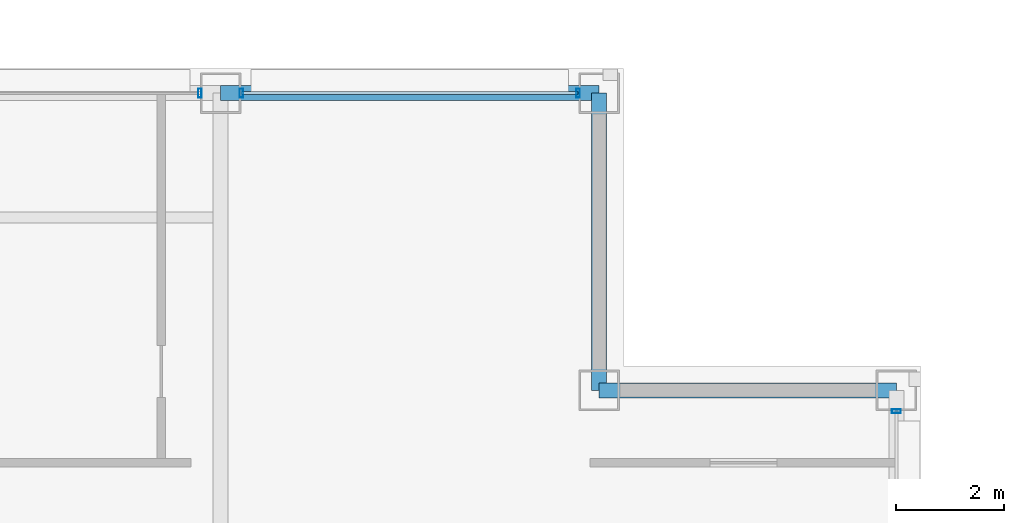
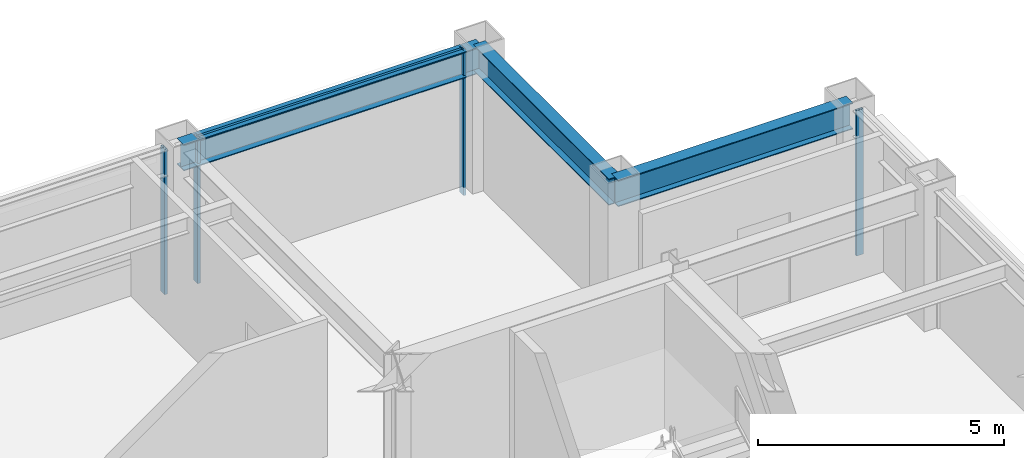
# One storey, part 21 of 26: 5 members, 3 beams, 3 elements without a shape of their own.
"""IFC4 building model written with IfcOpenShell, lengths in metres."""

from ifc_helpers import new_model, si_unit, direction, frame, origin, origin_2d, place, context, subcontext, project, spatial, hollow_rectangle, i_section, extrude, material, layer, layer_set, material_profile, profile_set, type_object, element, aggregate, save


model = new_model("IFC4")

# Units and contexts
model_context = context("Model", 3, precision=1e-05, world=origin(), true_north=direction((0.0, 1.0)))
body_context = subcontext(model_context, "Body", "Model", "MODEL_VIEW")
ifc_project = project(units=[si_unit("LENGTHUNIT", "METRE"), si_unit("AREAUNIT", "SQUARE_METRE"), si_unit("VOLUMEUNIT", "CUBIC_METRE"), si_unit("PLANEANGLEUNIT", "RADIAN"), si_unit("MASSUNIT", "GRAM", prefix="KILO")], contexts=[model_context])

# Site, building, storey
site_placement = place(None, origin())
site = spatial("IfcSite", under=ifc_project, at=site_placement, CompositionType="ELEMENT")
building_placement = place(site_placement, origin())
building = spatial("IfcBuilding", under=site, at=building_placement, Name="Brelmoor Portico Tower", CompositionType="ELEMENT")
storey_placement = place(building_placement, frame((0.0, 0.0, 180.300048828125)))
storey = spatial("IfcBuildingStorey", under=building, at=storey_placement, Name="L47", CompositionType="ELEMENT", Elevation=180.300048828125)

# Beams
ifc_material_1 = material(Name="Steel Q355B", Category="steel")
ifc_material_profile_1 = material_profile(ifc_material_1, i_section(OverallWidth=0.280029296875, OverallDepth=0.64990234375, WebThickness=0.012939453125, FlangeThickness=0.02197265625, at=origin_2d()), Name="HN 650x280x13x22")
ifc_profile_set_1 = profile_set([ifc_material_profile_1], Name="Steel Q355B")
beam_type = type_object("IfcBeamType", Name="BM-SP-650", PredefinedType="SPANDREL", material=ifc_profile_set_1)
beam_1_placement = place(storey_placement, frame((15.050048828125, 13.050048828125, 3.074951171875), z_axis=(1.0, 0.0, 0.0), x_axis=(0.0, 1.0, 0.0)))
element("IfcBeam", 1, at=beam_1_placement, inside=storey, type_object=beam_type, Name="L47 Perimeter Spandrel Beam SP-07", PredefinedType="SPANDREL", context=body_context, shape_type="SweptSolid", body=[
    extrude(i_section(OverallWidth=0.280029296875, OverallDepth=0.64990234375, WebThickness=0.012939453125, FlangeThickness=0.02197265625, at=origin_2d()), origin(), (0.0, 0.0, 1.0), 5.5),
])
beam_2_placement = place(storey_placement, frame((8.050048828125, 18.550048828125, 3.074951171875), z_axis=(1.0, 0.0, 0.0), x_axis=(0.0, 1.0, 0.0)))
element("IfcBeam", 2, at=beam_2_placement, inside=storey, type_object=beam_type, Name="L47 Perimeter Spandrel Beam SP-10", PredefinedType="SPANDREL", context=body_context, shape_type="SweptSolid", body=[
    extrude(i_section(OverallWidth=0.280029296875, OverallDepth=0.64990234375, WebThickness=0.012939453125, FlangeThickness=0.02197265625, at=origin_2d()), origin(), (0.0, 0.0, 1.0), 7.0),
])
beam_3_placement = place(storey_placement, frame((15.050048828125, 13.050048828125, 3.074951171875), z_axis=(0.0, 1.0, 0.0), x_axis=(-1.0, 0.0, 0.0)))
element("IfcBeam", 3, at=beam_3_placement, inside=storey, type_object=beam_type, Name="L47 Perimeter Spandrel Beam SP-17", PredefinedType="SPANDREL", context=body_context, shape_type="SweptSolid", body=[
    extrude(i_section(OverallWidth=0.280029296875, OverallDepth=0.64990234375, WebThickness=0.012939453125, FlangeThickness=0.02197265625, at=origin_2d()), origin(), (0.0, 0.0, 1.0), 5.5),
])

# Curtain wall, member
ifc_material_2 = material(Name="Anodised Aluminium Alloy 6063-T6", Category="aluminium")
ifc_layer_1 = layer(ifc_material_2, 0.179931640625)
ifc_layer_set_1 = layer_set([ifc_layer_1], Name="Anodised Aluminium Alloy 6063-T6")
curtain_wall_type_1 = type_object("IfcCurtainWallType", Name="CW-TOWER-Z3", PredefinedType="NOTDEFINED", material=ifc_layer_set_1)
curtain_wall_1_placement = place(storey_placement, origin())
curtain_wall_1 = element("IfcCurtainWall", 4, at=curtain_wall_1_placement, inside=storey, type_object=curtain_wall_type_1, Name="L47 Curtain Wall CW-L47-02-2", PredefinedType="NOTDEFINED")
ifc_material_profile_2 = material_profile(ifc_material_2, hollow_rectangle(XDim=0.06494140625, YDim=0.1650390625, WallThickness=0.00390625, at=origin_2d()), Name="ALU MULLION 65x165")
ifc_profile_set_2 = profile_set([ifc_material_profile_2], Name="Anodised Aluminium Alloy 6063-T6")
member_type_1 = type_object("IfcMemberType", Name="MB-CW-MULL-165", PredefinedType="MULLION", material=ifc_profile_set_2)
member_1_placement = place(storey_placement, frame((7.6650390625, 18.550048828125, -0.199951171875), z_axis=(0.0, 0.0, 1.0), x_axis=(1.0, 0.0, 0.0)))
member_1 = element("IfcMember", 5, at=member_1_placement, type_object=member_type_1, Name="CW-L47-02-2 Mullion 01", PredefinedType="MULLION", context=body_context, shape_type="SweptSolid", body=[
    extrude(hollow_rectangle(XDim=0.06494140625, YDim=0.1650390625, WallThickness=0.00390625, at=origin_2d()), origin(), (0.0, 0.0, 1.0), 3.599853515625),
])
aggregate(curtain_wall_1, [member_1])

# Curtain wall, members
ifc_layer_2 = layer(ifc_material_2, 0.179931640625)
ifc_layer_set_2 = layer_set([ifc_layer_2], Name="Anodised Aluminium Alloy 6063-T6")
curtain_wall_type_2 = type_object("IfcCurtainWallType", Name="CW-TOWER-Z3-XB", PredefinedType="NOTDEFINED", material=ifc_layer_set_2)
curtain_wall_2_placement = place(storey_placement, origin())
curtain_wall_2 = element("IfcCurtainWall", 6, at=curtain_wall_2_placement, inside=storey, type_object=curtain_wall_type_2, Name="L47 Curtain Wall CW-L47-02-3", PredefinedType="NOTDEFINED")
member_2_placement = place(storey_placement, frame((8.43505859375, 18.550048828125, -0.199951171875), z_axis=(0.0, 0.0, 1.0), x_axis=(1.0, 0.0, 0.0)))
member_2 = element("IfcMember", 7, at=member_2_placement, type_object=member_type_1, Name="CW-L47-02-3 Mullion 00", PredefinedType="MULLION", context=body_context, shape_type="SweptSolid", body=[
    extrude(hollow_rectangle(XDim=0.06494140625, YDim=0.1650390625, WallThickness=0.00390625, at=origin_2d()), origin(), (0.0, 0.0, 1.0), 3.599853515625),
])
member_3_placement = place(storey_placement, frame((14.6650390625, 18.550048828125, -0.199951171875), z_axis=(0.0, 0.0, 1.0), x_axis=(1.0, 0.0, 0.0)))
member_3 = element("IfcMember", 8, at=member_3_placement, type_object=member_type_1, Name="CW-L47-02-3 Mullion 01", PredefinedType="MULLION", context=body_context, shape_type="SweptSolid", body=[
    extrude(hollow_rectangle(XDim=0.06494140625, YDim=0.1650390625, WallThickness=0.00390625, at=origin_2d()), origin(), (0.0, 0.0, 1.0), 3.599853515625),
])

# Curtain wall, member
curtain_wall_3_placement = place(storey_placement, origin())
curtain_wall_3 = element("IfcCurtainWall", 9, at=curtain_wall_3_placement, inside=storey, type_object=curtain_wall_type_2, Name="L47 Curtain Wall CW-L47-04-3", PredefinedType="NOTDEFINED")
member_4_placement = place(storey_placement, frame((20.550048828125, 12.6650390625, -0.199951171875), z_axis=(0.0, 0.0, 1.0), x_axis=(0.0, 1.0, 0.0)))
member_4 = element("IfcMember", 10, at=member_4_placement, type_object=member_type_1, Name="CW-L47-04-3 Mullion 01", PredefinedType="MULLION", context=body_context, shape_type="SweptSolid", body=[
    extrude(hollow_rectangle(XDim=0.06494140625, YDim=0.1650390625, WallThickness=0.00390625, at=origin_2d()), origin(), (0.0, 0.0, 1.0), 3.599853515625),
])
aggregate(curtain_wall_3, [member_4])

# Member
ifc_material_profile_3 = material_profile(ifc_material_2, hollow_rectangle(XDim=0.06005859375, YDim=0.125, WallThickness=0.00341796875, at=origin_2d()), Name="ALU TRANSOM 60x125")
ifc_profile_set_3 = profile_set([ifc_material_profile_3], Name="Anodised Aluminium Alloy 6063-T6")
member_type_2 = type_object("IfcMemberType", Name="MB-CW-TRAN-125", PredefinedType="USERDEFINED", material=ifc_profile_set_3)
member_5_placement = place(storey_placement, frame((8.43505859375, 18.550048828125, 3.33740234375), z_axis=(1.0, 0.0, 0.0), x_axis=(0.0, 1.0, 0.0)))
member_5 = element("IfcMember", 11, at=member_5_placement, type_object=member_type_2, Name="CW-L47-02-3 Transom 1-00", ObjectType="TRANSOM", PredefinedType="USERDEFINED", context=body_context, shape_type="SweptSolid", body=[
    extrude(hollow_rectangle(XDim=0.06005859375, YDim=0.125, WallThickness=0.00341796875, at=origin_2d()), origin(), (0.0, 0.0, 1.0), 6.22998046875),
])

aggregate(curtain_wall_2, [member_2, member_3, member_5])

save(model, "model.ifc")
